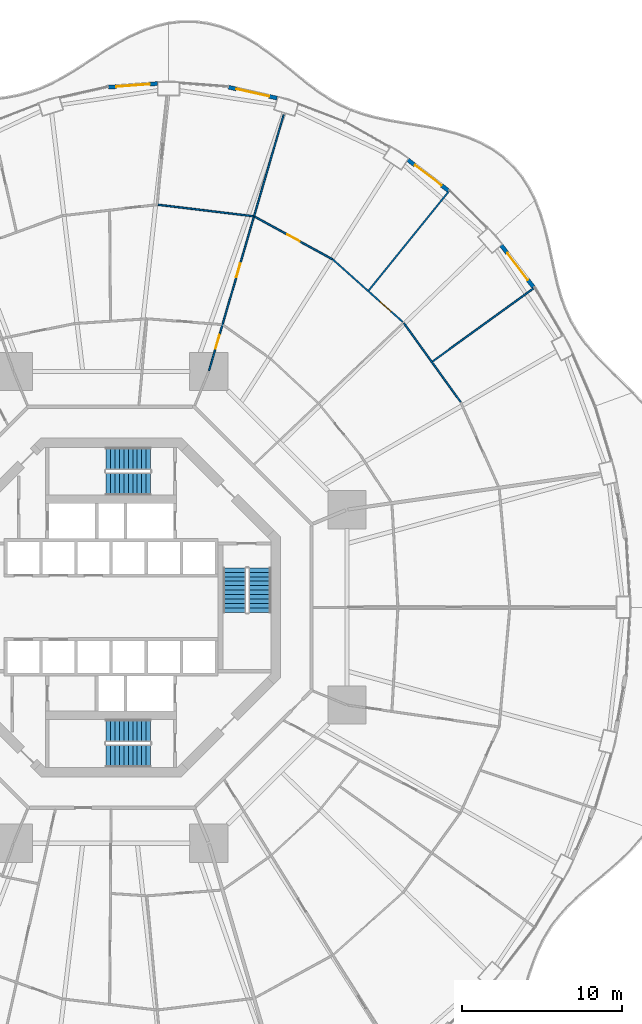
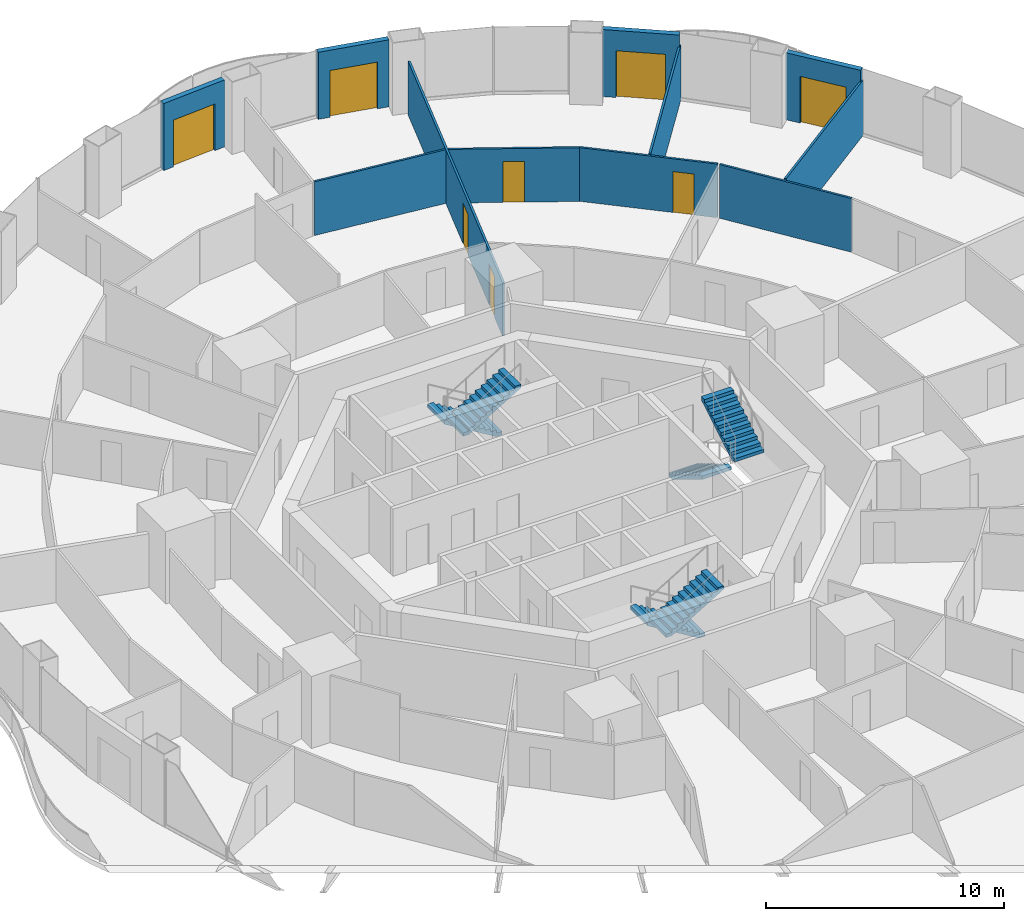
# One storey, part 19 of 22: 11 walls, 8 doors, 6 stair flights, 8 openings, 3 elements without a shape of their own.
"""IFC4 building model written with IfcOpenShell, lengths in metres."""

from ifc_helpers import new_model, si_unit, direction, frame, frame_2d, origin, place, context, subcontext, project, spatial, polyline, rectangle, outline, extrude, material, layer, layer_set, type_object, element, fill, aggregate, save


model = new_model("IFC4")

# Units and contexts
model_context = context("Model", 3, precision=1e-05, world=origin(), true_north=direction((0.0, 1.0)))
body_context = subcontext(model_context, "Body", "Model", "MODEL_VIEW")
ifc_project = project(units=[si_unit("LENGTHUNIT", "METRE"), si_unit("AREAUNIT", "SQUARE_METRE"), si_unit("VOLUMEUNIT", "CUBIC_METRE"), si_unit("PLANEANGLEUNIT", "RADIAN"), si_unit("MASSUNIT", "GRAM", prefix="KILO")], contexts=[model_context])

# Site, building, storey
site_placement = place(None, origin())
site = spatial("IfcSite", under=ifc_project, at=site_placement, CompositionType="ELEMENT")
building_placement = place(site_placement, origin())
building = spatial("IfcBuilding", under=site, at=building_placement, Name="Nagisa Residences", CompositionType="ELEMENT")
storey_placement = place(building_placement, frame((0.0, 0.0, 45.5)))
storey = spatial("IfcBuildingStorey", under=building, at=storey_placement, Name="L10", CompositionType="ELEMENT", Elevation=45.5)

# Walls
ifc_material_1 = material(Name="Gypsum board on steel studs", Category="steel")
ifc_layer_1 = layer(ifc_material_1, 0.10009765625)
ifc_layer_set_1 = layer_set([ifc_layer_1], Name="Apartment partition 100")
wall_type_1 = type_object("IfcWallType", Name="Apartment partition 100", PredefinedType="PARTITIONING", material=ifc_layer_set_1)
wall_1_placement = place(storey_placement, frame((21.90771484375, 12.866455078125, 0.0), z_axis=(0.0, 0.0, 1.0), x_axis=(-0.584558392935, 0.811351640936, 0.0)))
element("IfcWall", 1, at=wall_1_placement, inside=storey, type_object=wall_type_1, Name="wall:L10:u22", PredefinedType="PARTITIONING", context=body_context, shape_type="SweptSolid", body=[
    extrude(rectangle(XDim=6.084228515625, YDim=0.10009765625, at=frame_2d((3.0419921875, 0.0))), origin(), (0.0, 0.0, 1.0), 2.756103515625),
])
wall_2_placement = place(storey_placement, frame((20.140625, 15.404541015625, 0.0), z_axis=(0.0, 0.0, 1.0), x_axis=(0.809834895779, 0.58665785734, 0.0)))
element("IfcWall", 2, at=wall_2_placement, inside=storey, type_object=wall_type_1, Name="wall:L10:u23", PredefinedType="PARTITIONING", context=body_context, shape_type="SweptSolid", body=[
    extrude(rectangle(XDim=7.9453125, YDim=0.10009765625, at=frame_2d((3.97265625, 0.0))), origin(), (0.0, 0.0, 1.0), 2.8369140625),
])

# Wall, opening, door
wall_3_placement = place(storey_placement, frame((18.28466796875, 17.876953125, 0.0), z_axis=(0.0, 0.0, 1.0), x_axis=(-0.745812746724, 0.666155647596, 0.0)))
wall_3 = element("IfcWall", 3, at=wall_3_placement, inside=storey, type_object=wall_type_1, Name="wall:L10:u26", PredefinedType="PARTITIONING", context=body_context, shape_type="SweptSolid", body=[
    extrude(rectangle(XDim=5.9306640625, YDim=0.10009765625, at=frame_2d((2.96533203125, 0.0))), origin(), (0.0, 0.0, 1.0), 2.756103515625),
])
opening_1_placement = place(wall_3_placement, frame((1.007568359375, 0.0, 0.0)))
opening_1 = element("IfcOpeningElement", 4, at=opening_1_placement, cuts=wall_3, Name="Opening L10-U15", PredefinedType="OPENING", context=body_context, shape_type="SweptSolid", body=[
    extrude(rectangle(XDim=0.89990234375, YDim=2.10009765625, at=frame_2d((0.449951171875, 1.050048828125))), frame((0.0, 0.06005859375, 0.0), z_axis=(0.0, -1.0, 0.0), x_axis=(1.0, 0.0, 0.0)), (0.0, 0.0, 1.0), 0.1201171875),
])
ifc_material_2 = material(Name="Timber door set", Category="wood")
door_type_1 = type_object("IfcDoorType", Name="Apartment door 900x2100", OperationType="NOTDEFINED", PredefinedType="DOOR", material=ifc_material_2)
door_1_placement = place(opening_1_placement, frame((0.89990234375, 0.0, 0.0), x_axis=(-1.0, 0.0, 0.0)))
door_1 = element("IfcDoor", 5, at=door_1_placement, inside=storey, type_object=door_type_1, Name="Door to master bedroom, Apartment 10A", OperationType="SINGLE_SWING_RIGHT", OverallHeight=2.10009765625, OverallWidth=0.89990234375, PredefinedType="DOOR", context=body_context, shape_type="SweptSolid", body=[
    extrude(rectangle(XDim=0.89990234375, YDim=2.10009765625, at=frame_2d((0.449951171875, 1.050048828125))), frame((0.0, 0.02490234375, 0.0), z_axis=(0.0, -1.0, 0.0), x_axis=(1.0, 0.0, 0.0)), (0.0, 0.0, 1.0), 0.050048828125),
])
fill(opening_1, door_1)

# Wall
wall_4_placement = place(storey_placement, frame((16.141845703125, 19.85791015625, 0.0), z_axis=(0.0, 0.0, 1.0), x_axis=(0.628738066508, 0.777617157555, 0.0)))
element("IfcWall", 6, at=wall_4_placement, inside=storey, type_object=wall_type_1, Name="wall:L10:u27", PredefinedType="PARTITIONING", context=body_context, shape_type="SweptSolid", body=[
    extrude(rectangle(XDim=8.091064453125, YDim=0.10009765625, at=frame_2d((4.04541015625, 0.0))), origin(), (0.0, 0.0, 1.0), 2.8369140625),
])

# Wall, opening, door
wall_5_placement = place(storey_placement, frame((13.85498046875, 21.818359375, 0.0), z_axis=(0.0, 0.0, 1.0), x_axis=(-0.876794415294, 0.480865421203, 0.0)))
wall_5 = element("IfcWall", 7, at=wall_5_placement, inside=storey, type_object=wall_type_1, Name="wall:L10:u29", PredefinedType="PARTITIONING", context=body_context, shape_type="SweptSolid", body=[
    extrude(rectangle(XDim=5.5361328125, YDim=0.10009765625, at=frame_2d((2.76806640625, 0.0))), origin(), (0.0, 0.0, 1.0), 2.756103515625),
])
opening_2_placement = place(wall_5_placement, frame((2.318115234375, 0.0, 0.0)))
opening_2 = element("IfcOpeningElement", 8, at=opening_2_placement, cuts=wall_5, Name="Opening L10-U16", PredefinedType="OPENING", context=body_context, shape_type="SweptSolid", body=[
    extrude(rectangle(XDim=0.89990234375, YDim=2.10009765625, at=frame_2d((0.449951171875, 1.050048828125))), frame((0.0, 0.06005859375, 0.0), z_axis=(0.0, -1.0, 0.0), x_axis=(1.0, 0.0, 0.0)), (0.0, 0.0, 1.0), 0.1201171875),
])
door_2_placement = place(opening_2_placement, frame((0.89990234375, 0.0, 0.0), x_axis=(-1.0, 0.0, 0.0)))
door_2 = element("IfcDoor", 9, at=door_2_placement, inside=storey, type_object=door_type_1, Name="Door to living room, Apartment 10A", OperationType="SINGLE_SWING_LEFT", OverallHeight=2.10009765625, OverallWidth=0.89990234375, PredefinedType="DOOR", context=body_context, shape_type="SweptSolid", body=[
    extrude(rectangle(XDim=0.89990234375, YDim=2.10009765625, at=frame_2d((0.449951171875, 1.050048828125))), frame((0.0, 0.02490234375, 0.0), z_axis=(0.0, -1.0, 0.0), x_axis=(1.0, 0.0, 0.0)), (0.0, 0.0, 1.0), 0.050048828125),
])
fill(opening_2, door_2)

# Wall, openings, doors
wall_6_placement = place(storey_placement, frame((6.136962890625, 14.830078125, 0.0), z_axis=(0.0, 0.0, 1.0), x_axis=(0.27985745069, 0.960041565399, 0.0)))
wall_6 = element("IfcWall", 10, at=wall_6_placement, inside=storey, type_object=wall_type_1, Name="wall:L10:u31", PredefinedType="PARTITIONING", context=body_context, shape_type="SweptSolid", body=[
    extrude(rectangle(XDim=16.705078125, YDim=0.10009765625, at=frame_2d((8.3525390625, 0.0))), origin(), (0.0, 0.0, 1.0), 2.756103515625),
])
opening_3_placement = place(wall_6_placement, frame((6.09130859375, 0.0, 0.0)))
opening_3 = element("IfcOpeningElement", 11, at=opening_3_placement, cuts=wall_6, Name="Opening L10-U14", PredefinedType="OPENING", context=body_context, shape_type="SweptSolid", body=[
    extrude(rectangle(XDim=0.89990234375, YDim=2.10009765625, at=frame_2d((0.449951171875, 1.050048828125))), frame((0.0, 0.06005859375, 0.0), z_axis=(0.0, -1.0, 0.0), x_axis=(1.0, 0.0, 0.0)), (0.0, 0.0, 1.0), 0.1201171875),
])
opening_4_placement = place(wall_6_placement, frame((1.43359375, 0.0, 0.0)))
opening_4 = element("IfcOpeningElement", 12, at=opening_4_placement, cuts=wall_6, Name="Opening L10-U17", PredefinedType="OPENING", context=body_context, shape_type="SweptSolid", body=[
    extrude(rectangle(XDim=0.89990234375, YDim=2.10009765625, at=frame_2d((0.449951171875, 1.050048828125))), frame((0.0, 0.06005859375, 0.0), z_axis=(0.0, -1.0, 0.0), x_axis=(1.0, 0.0, 0.0)), (0.0, 0.0, 1.0), 0.1201171875),
])
door_3_placement = place(opening_3_placement, frame((0.89990234375, 0.0, 0.0), x_axis=(-1.0, 0.0, 0.0)))
door_3 = element("IfcDoor", 13, at=door_3_placement, inside=storey, type_object=door_type_1, Name="Door to family room, Apartment 10A", OperationType="SINGLE_SWING_LEFT", OverallHeight=2.10009765625, OverallWidth=0.89990234375, PredefinedType="DOOR", context=body_context, shape_type="SweptSolid", body=[
    extrude(rectangle(XDim=0.89990234375, YDim=2.10009765625, at=frame_2d((0.449951171875, 1.050048828125))), frame((0.0, 0.02490234375, 0.0), z_axis=(0.0, -1.0, 0.0), x_axis=(1.0, 0.0, 0.0)), (0.0, 0.0, 1.0), 0.050048828125),
])
fill(opening_3, door_3)
door_4_placement = place(opening_4_placement, frame((0.89990234375, 0.0, 0.0), x_axis=(-1.0, 0.0, 0.0)))
door_4 = element("IfcDoor", 14, at=door_4_placement, inside=storey, type_object=door_type_1, Name="Door to store, Apartment 10A", OperationType="SINGLE_SWING_RIGHT", OverallHeight=2.10009765625, OverallWidth=0.89990234375, PredefinedType="DOOR", context=body_context, shape_type="SweptSolid", body=[
    extrude(rectangle(XDim=0.89990234375, YDim=2.10009765625, at=frame_2d((0.449951171875, 1.050048828125))), frame((0.0, 0.02490234375, 0.0), z_axis=(0.0, -1.0, 0.0), x_axis=(1.0, 0.0, 0.0)), (0.0, 0.0, 1.0), 0.050048828125),
])
fill(opening_4, door_4)

# Wall
wall_7_placement = place(storey_placement, frame((8.907470703125, 24.510498046875, 0.0), z_axis=(0.0, 0.0, 1.0), x_axis=(-0.992836798252, 0.119478416615, 0.0)))
element("IfcWall", 15, at=wall_7_placement, inside=storey, type_object=wall_type_1, Name="wall:L10:u33", PredefinedType="PARTITIONING", context=body_context, shape_type="SweptSolid", body=[
    extrude(rectangle(XDim=6.009521484375, YDim=0.10009765625, at=frame_2d((3.0048828125, 0.0))), origin(), (0.0, 0.0, 1.0), 2.756103515625),
])

# Wall, opening, door
ifc_material_3 = material(Name="Precast concrete C40/50", Category="concrete")
ifc_layer_2 = layer(ifc_material_3, 0.25)
ifc_layer_set_2 = layer_set([ifc_layer_2], Name="BALCONY DOOR WALL 250")
wall_type_2 = type_object("IfcWallType", Name="BALCONY DOOR WALL 250", PredefinedType="SOLIDWALL", material=ifc_layer_set_2)
wall_8_placement = place(storey_placement, frame((24.434326171875, 22.703857421875, 0.0), z_axis=(0.0, 0.0, 1.0), x_axis=(0.610457147657, -0.792049285635, 0.0)))
wall_8 = element("IfcWall", 16, at=wall_8_placement, inside=storey, type_object=wall_type_2, Name="wall:L10:bay05", PredefinedType="SOLIDWALL", context=body_context, shape_type="SweptSolid", body=[
    extrude(rectangle(XDim=3.3974609375, YDim=0.25, at=frame_2d((1.69873046875, 0.0))), origin(), (0.0, 0.0, 1.0), 3.43994140625),
])
opening_5_placement = place(wall_8_placement, frame((0.648681640625, 0.0, 0.0)))
opening_5 = element("IfcOpeningElement", 17, at=opening_5_placement, cuts=wall_8, Name="Opening BD-L10-02", PredefinedType="OPENING", context=body_context, shape_type="SweptSolid", body=[
    extrude(rectangle(XDim=2.10009765625, YDim=2.39990234375, at=frame_2d((1.050048828125, 1.199951171875))), frame((0.0, 0.135009765625, 0.0), z_axis=(0.0, -1.0, 0.0), x_axis=(1.0, 0.0, 0.0)), (0.0, 0.0, 1.0), 0.27001953125),
])
ifc_material_4 = material(Name="Aluminium and clear glass", Category="aluminium")
door_type_2 = type_object("IfcDoorType", Name="BALCONY SLIDING DOOR 2100x2400", OperationType="SLIDING_TO_LEFT", PredefinedType="DOOR", material=ifc_material_4)
door_5_placement = place(opening_5_placement, origin())
door_5 = element("IfcDoor", 18, at=door_5_placement, inside=storey, type_object=door_type_2, Name="door:L10:bay05", OperationType="SLIDING_TO_LEFT", OverallHeight=2.39990234375, OverallWidth=2.10009765625, PredefinedType="DOOR", context=body_context, shape_type="SweptSolid", body=[
    extrude(rectangle(XDim=2.10009765625, YDim=2.39990234375, at=frame_2d((1.050048828125, 1.199951171875))), frame((0.0, 0.02490234375, 0.0), z_axis=(0.0, -1.0, 0.0), x_axis=(1.0, 0.0, 0.0)), (0.0, 0.0, 1.0), 0.050048828125),
])
fill(opening_5, door_5)

wall_9_placement = place(storey_placement, frame((18.58154296875, 28.0556640625, 0.0), z_axis=(0.0, 0.0, 1.0), x_axis=(0.796022293214, -0.605267303517, 0.0)))
wall_9 = element("IfcWall", 19, at=wall_9_placement, inside=storey, type_object=wall_type_2, Name="wall:L10:bay07", PredefinedType="SOLIDWALL", context=body_context, shape_type="SweptSolid", body=[
    extrude(rectangle(XDim=3.262451171875, YDim=0.25, at=frame_2d((1.63134765625, 0.0))), origin(), (0.0, 0.0, 1.0), 3.43994140625),
])
opening_6_placement = place(wall_9_placement, frame((0.5810546875, 0.0, 0.0)))
opening_6 = element("IfcOpeningElement", 20, at=opening_6_placement, cuts=wall_9, Name="Opening BD-L10-03", PredefinedType="OPENING", context=body_context, shape_type="SweptSolid", body=[
    extrude(rectangle(XDim=2.10009765625, YDim=2.39990234375, at=frame_2d((1.050048828125, 1.199951171875))), frame((0.0, 0.135009765625, 0.0), z_axis=(0.0, -1.0, 0.0), x_axis=(1.0, 0.0, 0.0)), (0.0, 0.0, 1.0), 0.27001953125),
])
door_6_placement = place(opening_6_placement, origin())
door_6 = element("IfcDoor", 21, at=door_6_placement, inside=storey, type_object=door_type_2, Name="door:L10:bay07", OperationType="SLIDING_TO_LEFT", OverallHeight=2.39990234375, OverallWidth=2.10009765625, PredefinedType="DOOR", context=body_context, shape_type="SweptSolid", body=[
    extrude(rectangle(XDim=2.10009765625, YDim=2.39990234375, at=frame_2d((1.050048828125, 1.199951171875))), frame((0.0, 0.02490234375, 0.0), z_axis=(0.0, -1.0, 0.0), x_axis=(1.0, 0.0, 0.0)), (0.0, 0.0, 1.0), 0.050048828125),
])
fill(opening_6, door_6)

wall_10_placement = place(storey_placement, frame((7.357666015625, 32.595703125, 0.0), z_axis=(0.0, 0.0, 1.0), x_axis=(0.97533495413, -0.220729987208, 0.0)))
wall_10 = element("IfcWall", 22, at=wall_10_placement, inside=storey, type_object=wall_type_2, Name="wall:L10:bay10", PredefinedType="SOLIDWALL", context=body_context, shape_type="SweptSolid", body=[
    extrude(rectangle(XDim=3.11474609375, YDim=0.25, at=frame_2d((1.557373046875, 0.0))), origin(), (0.0, 0.0, 1.0), 3.43994140625),
])
opening_7_placement = place(wall_10_placement, frame((0.50732421875, 0.0, 0.0)))
opening_7 = element("IfcOpeningElement", 23, at=opening_7_placement, cuts=wall_10, Name="Opening BD-L10-04", PredefinedType="OPENING", context=body_context, shape_type="SweptSolid", body=[
    extrude(rectangle(XDim=2.10009765625, YDim=2.39990234375, at=frame_2d((1.050048828125, 1.199951171875))), frame((0.0, 0.135009765625, 0.0), z_axis=(0.0, -1.0, 0.0), x_axis=(1.0, 0.0, 0.0)), (0.0, 0.0, 1.0), 0.27001953125),
])
door_7_placement = place(opening_7_placement, origin())
door_7 = element("IfcDoor", 24, at=door_7_placement, inside=storey, type_object=door_type_2, Name="door:L10:bay10", OperationType="SLIDING_TO_LEFT", OverallHeight=2.39990234375, OverallWidth=2.10009765625, PredefinedType="DOOR", context=body_context, shape_type="SweptSolid", body=[
    extrude(rectangle(XDim=2.10009765625, YDim=2.39990234375, at=frame_2d((1.050048828125, 1.199951171875))), frame((0.0, 0.02490234375, 0.0), z_axis=(0.0, -1.0, 0.0), x_axis=(1.0, 0.0, 0.0)), (0.0, 0.0, 1.0), 0.050048828125),
])
fill(opening_7, door_7)

wall_11_placement = place(storey_placement, frame((-0.176025390625, 32.593017578125, 0.0), z_axis=(0.0, 0.0, 1.0), x_axis=(0.997230834878, 0.074368420505, 0.0)))
wall_11 = element("IfcWall", 25, at=wall_11_placement, inside=storey, type_object=wall_type_2, Name="wall:L10:bay12", PredefinedType="SOLIDWALL", context=body_context, shape_type="SweptSolid", body=[
    extrude(rectangle(XDim=3.095703125, YDim=0.25, at=frame_2d((1.5478515625, 0.0))), origin(), (0.0, 0.0, 1.0), 3.43994140625),
])
opening_8_placement = place(wall_11_placement, frame((0.497802734375, 0.0, 0.0)))
opening_8 = element("IfcOpeningElement", 26, at=opening_8_placement, cuts=wall_11, Name="Opening BD-L10-05", PredefinedType="OPENING", context=body_context, shape_type="SweptSolid", body=[
    extrude(rectangle(XDim=2.10009765625, YDim=2.39990234375, at=frame_2d((1.050048828125, 1.199951171875))), frame((0.0, 0.135009765625, 0.0), z_axis=(0.0, -1.0, 0.0), x_axis=(1.0, 0.0, 0.0)), (0.0, 0.0, 1.0), 0.27001953125),
])
door_8_placement = place(opening_8_placement, origin())
door_8 = element("IfcDoor", 27, at=door_8_placement, inside=storey, type_object=door_type_2, Name="door:L10:bay12", OperationType="SLIDING_TO_LEFT", OverallHeight=2.39990234375, OverallWidth=2.10009765625, PredefinedType="DOOR", context=body_context, shape_type="SweptSolid", body=[
    extrude(rectangle(XDim=2.10009765625, YDim=2.39990234375, at=frame_2d((1.050048828125, 1.199951171875))), frame((0.0, 0.02490234375, 0.0), z_axis=(0.0, -1.0, 0.0), x_axis=(1.0, 0.0, 0.0)), (0.0, 0.0, 1.0), 0.050048828125),
])
fill(opening_8, door_8)

# Stair, stair flights
ifc_material_5 = material(Name="Concrete C60", Category="concrete")
stair_type = type_object("IfcStairType", Name="Exit stair", PredefinedType="HALF_TURN_STAIR", material=ifc_material_5)
stair_1_placement = place(storey_placement, origin())
stair_1 = element("IfcStair", 28, at=stair_1_placement, inside=storey, type_object=stair_type, Name="L10 Exit stair E", PredefinedType="HALF_TURN_STAIR")
ifc_material_6 = material(Name="Concrete C60", Category="concrete")
stair_flight_type = type_object("IfcStairFlightType", Name="Exit stair flight", PredefinedType="STRAIGHT", material=ifc_material_6)
stair_flight_1_placement = place(storey_placement, frame((7.737060546875, 2.47509765625, 0.0), z_axis=(0.0, 0.0, 1.0), x_axis=(0.0, -1.0, 0.0)))
stair_flight_1 = element("IfcStairFlight", 29, at=stair_flight_1_placement, type_object=stair_flight_type, Name="ST-E flight 1", NumberOfRisers=11, NumberOfTreads=10, PredefinedType="STRAIGHT", RiserHeight=0.168181818, TreadLength=0.28, context=body_context, shape_type="SweptSolid", body=[
    extrude(outline(polyline([(0.0, 0.0), (0.0, 0.168212890625), (0.280029296875, 0.168212890625), (0.280029296875, 0.33642578125), (0.56005859375, 0.33642578125), (0.56005859375, 0.504638671875), (0.840087890625, 0.504638671875), (0.840087890625, 0.672607421875), (1.1201171875, 0.672607421875), (1.1201171875, 0.8408203125), (1.39990234375, 0.8408203125), (1.39990234375, 1.009033203125), (1.679931640625, 1.009033203125), (1.679931640625, 1.17724609375), (1.9599609375, 1.17724609375), (1.9599609375, 1.345458984375), (2.239990234375, 1.345458984375), (2.239990234375, 1.513671875), (2.52001953125, 1.513671875), (2.52001953125, 1.681884765625), (2.800048828125, 1.681884765625), (2.800048828125, 1.85009765625), (2.800048828125, 1.5068359375), (0.291015625, 0.0), (0.0, 0.0)])), frame((0.0, 0.71240234375, 0.0), z_axis=(0.0, -1.0, 0.0), x_axis=(1.0, 0.0, 0.0)), (0.0, 0.0, 1.0), 1.425048828125),
])
stair_flight_2_placement = place(storey_placement, frame((9.31201171875, -0.324951171875, 1.85009765625), z_axis=(0.0, 0.0, 1.0), x_axis=(0.0, 1.0, 0.0)))
stair_flight_2 = element("IfcStairFlight", 30, at=stair_flight_2_placement, type_object=stair_flight_type, Name="ST-E flight 2", NumberOfRisers=11, NumberOfTreads=10, PredefinedType="STRAIGHT", RiserHeight=0.168181818, TreadLength=0.28, context=body_context, shape_type="SweptSolid", body=[
    extrude(outline(polyline([(0.0, 0.0), (0.0, 0.168212890625), (0.280029296875, 0.168212890625), (0.280029296875, 0.33642578125), (0.56005859375, 0.33642578125), (0.56005859375, 0.504638671875), (0.840087890625, 0.504638671875), (0.840087890625, 0.672607421875), (1.1201171875, 0.672607421875), (1.1201171875, 0.8408203125), (1.39990234375, 0.8408203125), (1.39990234375, 1.009033203125), (1.679931640625, 1.009033203125), (1.679931640625, 1.17724609375), (1.9599609375, 1.17724609375), (1.9599609375, 1.345458984375), (2.239990234375, 1.345458984375), (2.239990234375, 1.513671875), (2.52001953125, 1.513671875), (2.52001953125, 1.681884765625), (2.800048828125, 1.681884765625), (2.800048828125, 1.85009765625), (2.800048828125, 1.5068359375), (0.291015625, 0.0), (0.0, 0.0)])), frame((0.0, 0.71240234375, 0.0), z_axis=(0.0, -1.0, 0.0), x_axis=(1.0, 0.0, 0.0)), (0.0, 0.0, 1.0), 1.425048828125),
])
aggregate(stair_1, [stair_flight_1, stair_flight_2])

stair_2_placement = place(storey_placement, origin())
stair_2 = element("IfcStair", 31, at=stair_2_placement, inside=storey, type_object=stair_type, Name="L10 Exit stair N", PredefinedType="HALF_TURN_STAIR")
stair_flight_3_placement = place(storey_placement, frame((2.47509765625, 9.31201171875, 0.0), z_axis=(0.0, 0.0, 1.0), x_axis=(-1.0, 0.0, 0.0)))
stair_flight_3 = element("IfcStairFlight", 32, at=stair_flight_3_placement, type_object=stair_flight_type, Name="ST-N flight 1", NumberOfRisers=11, NumberOfTreads=10, PredefinedType="STRAIGHT", RiserHeight=0.168181818, TreadLength=0.28, context=body_context, shape_type="SweptSolid", body=[
    extrude(outline(polyline([(0.0, 0.0), (0.0, 0.168212890625), (0.280029296875, 0.168212890625), (0.280029296875, 0.33642578125), (0.56005859375, 0.33642578125), (0.56005859375, 0.504638671875), (0.840087890625, 0.504638671875), (0.840087890625, 0.672607421875), (1.1201171875, 0.672607421875), (1.1201171875, 0.8408203125), (1.39990234375, 0.8408203125), (1.39990234375, 1.009033203125), (1.679931640625, 1.009033203125), (1.679931640625, 1.17724609375), (1.9599609375, 1.17724609375), (1.9599609375, 1.345458984375), (2.239990234375, 1.345458984375), (2.239990234375, 1.513671875), (2.52001953125, 1.513671875), (2.52001953125, 1.681884765625), (2.800048828125, 1.681884765625), (2.800048828125, 1.85009765625), (2.800048828125, 1.5068359375), (0.291015625, 0.0), (0.0, 0.0)])), frame((0.0, 0.71240234375, 0.0), z_axis=(0.0, -1.0, 0.0), x_axis=(1.0, 0.0, 0.0)), (0.0, 0.0, 1.0), 1.425048828125),
])
stair_flight_4_placement = place(storey_placement, frame((-0.324951171875, 7.737060546875, 1.85009765625), z_axis=(0.0, 0.0, 1.0), x_axis=(1.0, 0.0, 0.0)))
stair_flight_4 = element("IfcStairFlight", 33, at=stair_flight_4_placement, type_object=stair_flight_type, Name="ST-N flight 2", NumberOfRisers=11, NumberOfTreads=10, PredefinedType="STRAIGHT", RiserHeight=0.168181818, TreadLength=0.28, context=body_context, shape_type="SweptSolid", body=[
    extrude(outline(polyline([(0.0, 0.0), (0.0, 0.168212890625), (0.280029296875, 0.168212890625), (0.280029296875, 0.33642578125), (0.56005859375, 0.33642578125), (0.56005859375, 0.504638671875), (0.840087890625, 0.504638671875), (0.840087890625, 0.672607421875), (1.1201171875, 0.672607421875), (1.1201171875, 0.8408203125), (1.39990234375, 0.8408203125), (1.39990234375, 1.009033203125), (1.679931640625, 1.009033203125), (1.679931640625, 1.17724609375), (1.9599609375, 1.17724609375), (1.9599609375, 1.345458984375), (2.239990234375, 1.345458984375), (2.239990234375, 1.513671875), (2.52001953125, 1.513671875), (2.52001953125, 1.681884765625), (2.800048828125, 1.681884765625), (2.800048828125, 1.85009765625), (2.800048828125, 1.5068359375), (0.291015625, 0.0), (0.0, 0.0)])), frame((0.0, 0.71240234375, 0.0), z_axis=(0.0, -1.0, 0.0), x_axis=(1.0, 0.0, 0.0)), (0.0, 0.0, 1.0), 1.425048828125),
])
aggregate(stair_2, [stair_flight_3, stair_flight_4])

stair_3_placement = place(storey_placement, origin())
stair_3 = element("IfcStair", 34, at=stair_3_placement, inside=storey, type_object=stair_type, Name="L10 Exit stair S", PredefinedType="HALF_TURN_STAIR")
stair_flight_5_placement = place(storey_placement, frame((2.47509765625, -7.737060546875, 0.0), z_axis=(0.0, 0.0, 1.0), x_axis=(-1.0, 0.0, 0.0)))
stair_flight_5 = element("IfcStairFlight", 35, at=stair_flight_5_placement, type_object=stair_flight_type, Name="ST-S flight 1", NumberOfRisers=11, NumberOfTreads=10, PredefinedType="STRAIGHT", RiserHeight=0.168181818, TreadLength=0.28, context=body_context, shape_type="SweptSolid", body=[
    extrude(outline(polyline([(0.0, 0.0), (0.0, 0.168212890625), (0.280029296875, 0.168212890625), (0.280029296875, 0.33642578125), (0.56005859375, 0.33642578125), (0.56005859375, 0.504638671875), (0.840087890625, 0.504638671875), (0.840087890625, 0.672607421875), (1.1201171875, 0.672607421875), (1.1201171875, 0.8408203125), (1.39990234375, 0.8408203125), (1.39990234375, 1.009033203125), (1.679931640625, 1.009033203125), (1.679931640625, 1.17724609375), (1.9599609375, 1.17724609375), (1.9599609375, 1.345458984375), (2.239990234375, 1.345458984375), (2.239990234375, 1.513671875), (2.52001953125, 1.513671875), (2.52001953125, 1.681884765625), (2.800048828125, 1.681884765625), (2.800048828125, 1.85009765625), (2.800048828125, 1.5068359375), (0.291015625, 0.0), (0.0, 0.0)])), frame((0.0, 0.71240234375, 0.0), z_axis=(0.0, -1.0, 0.0), x_axis=(1.0, 0.0, 0.0)), (0.0, 0.0, 1.0), 1.425048828125),
])
stair_flight_6_placement = place(storey_placement, frame((-0.324951171875, -9.31201171875, 1.85009765625), z_axis=(0.0, 0.0, 1.0), x_axis=(1.0, 0.0, 0.0)))
stair_flight_6 = element("IfcStairFlight", 36, at=stair_flight_6_placement, type_object=stair_flight_type, Name="ST-S flight 2", NumberOfRisers=11, NumberOfTreads=10, PredefinedType="STRAIGHT", RiserHeight=0.168181818, TreadLength=0.28, context=body_context, shape_type="SweptSolid", body=[
    extrude(outline(polyline([(0.0, 0.0), (0.0, 0.168212890625), (0.280029296875, 0.168212890625), (0.280029296875, 0.33642578125), (0.56005859375, 0.33642578125), (0.56005859375, 0.504638671875), (0.840087890625, 0.504638671875), (0.840087890625, 0.672607421875), (1.1201171875, 0.672607421875), (1.1201171875, 0.8408203125), (1.39990234375, 0.8408203125), (1.39990234375, 1.009033203125), (1.679931640625, 1.009033203125), (1.679931640625, 1.17724609375), (1.9599609375, 1.17724609375), (1.9599609375, 1.345458984375), (2.239990234375, 1.345458984375), (2.239990234375, 1.513671875), (2.52001953125, 1.513671875), (2.52001953125, 1.681884765625), (2.800048828125, 1.681884765625), (2.800048828125, 1.85009765625), (2.800048828125, 1.5068359375), (0.291015625, 0.0), (0.0, 0.0)])), frame((0.0, 0.71240234375, 0.0), z_axis=(0.0, -1.0, 0.0), x_axis=(1.0, 0.0, 0.0)), (0.0, 0.0, 1.0), 1.425048828125),
])
aggregate(stair_3, [stair_flight_5, stair_flight_6])

save(model, "model.ifc")
